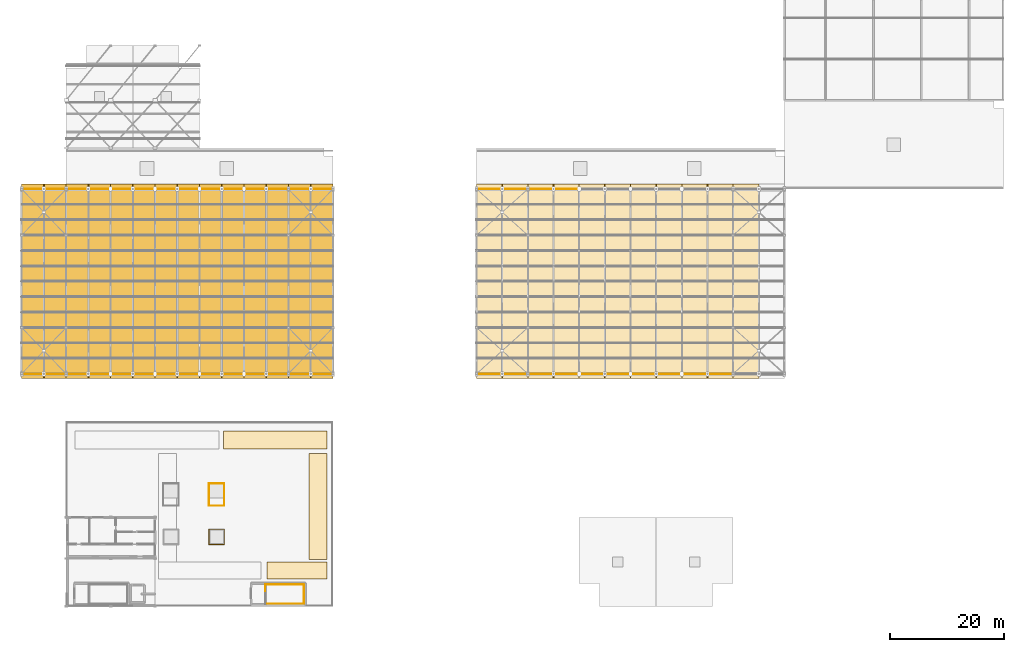
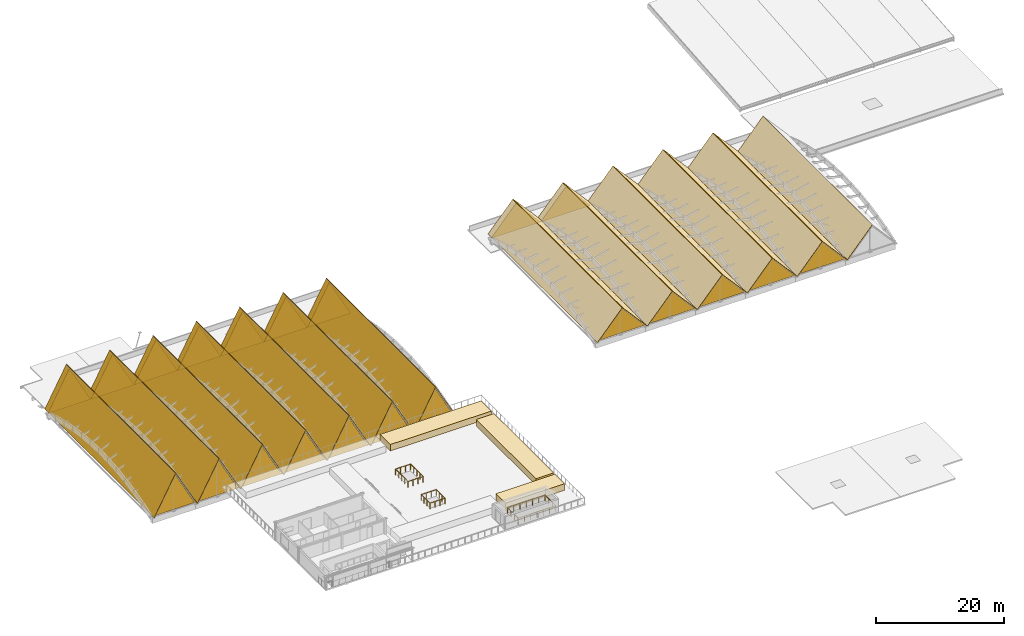
# One storey, part 38 of 39: 49 coverings, 3 railings.
"""IFC4 building model written with IfcOpenShell, lengths in metres."""

from ifc_helpers import new_model, si_unit, direction, frame, origin, origin_2d, place, context, subcontext, project, spatial, polyline, circle, outline, extrude, material, layer, layer_set, type_object, element, save


model = new_model("IFC4")

# Units and contexts
model_context = context("Model", 3, precision=1e-05, world=origin(), true_north=direction((0.0, 1.0)))
body_context = subcontext(model_context, "Body", "Model", "MODEL_VIEW")
ifc_project = project(units=[si_unit("LENGTHUNIT", "METRE"), si_unit("AREAUNIT", "SQUARE_METRE"), si_unit("VOLUMEUNIT", "CUBIC_METRE"), si_unit("PLANEANGLEUNIT", "RADIAN"), si_unit("MASSUNIT", "GRAM", prefix="KILO")], contexts=[model_context])

# Site, building, storey
site_placement = place(None, origin())
site = spatial("IfcSite", under=ifc_project, at=site_placement, CompositionType="ELEMENT")
building_placement = place(site_placement, origin())
building = spatial("IfcBuilding", under=site, at=building_placement, Name="Tizgana Railside Sports Hall", CompositionType="ELEMENT")
storey_placement = place(building_placement, frame((0.0, 0.0, 23.699951171875)))
storey = spatial("IfcBuildingStorey", under=building, at=storey_placement, Name="RF", CompositionType="ELEMENT", Elevation=23.699951171875)

# Coverings
ifc_material_1 = material(Name="Anodised perforated aluminium screen", Category="aluminium")
ifc_layer_1 = layer(ifc_material_1, 0.044921875, Name="Anodised perforated aluminium screen")
ifc_layer_set_1 = layer_set([ifc_layer_1], Name="Anodised perforated aluminium screen")
covering_type_1 = type_object("IfcCoveringType", Name="Perforated Aluminium Hall Screen 900", PredefinedType="CLADDING", material=ifc_layer_set_1)
for number, where, z_axis, x_axis, name in (
    (1, (7.75, 40.800048828125, -8.119873046875), (0.0, 0.0, 1.0), (-1.0, 0.0, 0.0), "RF Zigzag Gable Screen ZIG-0001"),
    (2, (0.050048828125, 73.199951171875, -8.119873046875), (0.0, 0.0, 1.0), (1.0, 0.0, 0.0), "RF Zigzag Gable Screen ZIG-0002"),
):
    element("IfcCovering", number, at=place(storey_placement, frame(where, z_axis=z_axis, x_axis=x_axis)), inside=storey, type_object=covering_type_1, Name=name, PredefinedType="CLADDING", context=body_context, shape_type="SweptSolid", body=[
        extrude(outline(polyline([(0.0, 0.0), (7.699951171875, 0.0), (7.699951171875, 0.02001953125), (3.85009765625, 7.219970703125), (0.0, 0.02001953125), (0.0, 0.0)])), frame((0.0, 0.044921875, 0.0), z_axis=(0.0, -1.0, 0.0), x_axis=(1.0, 0.0, 0.0)), (0.0, 0.0, 1.0), 0.090087890625),
    ])
covering_1_placement = place(storey_placement, frame((15.550048828125, 40.800048828125, -8.119873046875), z_axis=(0.0, 0.0, 1.0), x_axis=(-1.0, 0.0, 0.0)))
element("IfcCovering", 3, at=covering_1_placement, inside=storey, type_object=covering_type_1, Name="RF Zigzag Gable Screen ZIG-0003", PredefinedType="CLADDING", context=body_context, shape_type="SweptSolid", body=[
    extrude(outline(polyline([(0.0, 0.0), (7.795166015625, 0.0), (7.794921875, 0.02001953125), (3.85009765625, 7.219970703125), (0.0, 0.02001953125), (0.0, 0.0)])), frame((0.0, 0.044921875, 0.0), z_axis=(0.0, -1.0, 0.0), x_axis=(1.0, 0.0, 0.0)), (0.0, 0.0, 1.0), 0.090087890625),
])
covering_2_placement = place(storey_placement, frame((7.7548828125, 73.199951171875, -8.119873046875), z_axis=(0.0, 0.0, 1.0), x_axis=(1.0, 0.0, 0.0)))
element("IfcCovering", 4, at=covering_2_placement, inside=storey, type_object=covering_type_1, Name="RF Zigzag Gable Screen ZIG-0004", PredefinedType="CLADDING", context=body_context, shape_type="SweptSolid", body=[
    extrude(outline(polyline([(0.0, 0.0), (7.795166015625, 0.0), (7.794921875, 0.02001953125), (3.945068359375, 7.219970703125), (0.0, 0.02001953125), (0.0, 0.0)])), frame((0.0, 0.044921875, 0.0), z_axis=(0.0, -1.0, 0.0), x_axis=(1.0, 0.0, 0.0)), (0.0, 0.0, 1.0), 0.090087890625),
])
covering_3_placement = place(storey_placement, frame((23.35009765625, 40.800048828125, -8.119873046875), z_axis=(0.0, 0.0, 1.0), x_axis=(-1.0, 0.0, 0.0)))
element("IfcCovering", 5, at=covering_3_placement, inside=storey, type_object=covering_type_1, Name="RF Zigzag Gable Screen ZIG-0005", PredefinedType="CLADDING", context=body_context, shape_type="SweptSolid", body=[
    extrude(outline(polyline([(0.0, 0.0), (7.795166015625, 0.0), (7.794921875, 0.02001953125), (3.85009765625, 7.219970703125), (0.0, 0.02001953125), (0.0, 0.0)])), frame((0.0, 0.044921875, 0.0), z_axis=(0.0, -1.0, 0.0), x_axis=(1.0, 0.0, 0.0)), (0.0, 0.0, 1.0), 0.090087890625),
])
covering_4_placement = place(storey_placement, frame((15.554931640625, 73.199951171875, -8.119873046875), z_axis=(0.0, 0.0, 1.0), x_axis=(1.0, 0.0, 0.0)))
element("IfcCovering", 6, at=covering_4_placement, inside=storey, type_object=covering_type_1, Name="RF Zigzag Gable Screen ZIG-0006", PredefinedType="CLADDING", context=body_context, shape_type="SweptSolid", body=[
    extrude(outline(polyline([(0.0, 0.0), (7.795166015625, 0.0), (7.794921875, 0.02001953125), (3.945068359375, 7.219970703125), (0.0, 0.02001953125), (0.0, 0.0)])), frame((0.0, 0.044921875, 0.0), z_axis=(0.0, -1.0, 0.0), x_axis=(1.0, 0.0, 0.0)), (0.0, 0.0, 1.0), 0.090087890625),
])
covering_5_placement = place(storey_placement, frame((31.14990234375, 40.800048828125, -8.119873046875), z_axis=(0.0, 0.0, 1.0), x_axis=(-1.0, 0.0, 0.0)))
element("IfcCovering", 7, at=covering_5_placement, inside=storey, type_object=covering_type_1, Name="RF Zigzag Gable Screen ZIG-0007", PredefinedType="CLADDING", context=body_context, shape_type="SweptSolid", body=[
    extrude(outline(polyline([(0.0, 0.0), (7.794921875, 0.0), (7.794921875, 0.02001953125), (3.85009765625, 7.219970703125), (0.0, 0.02001953125), (0.0, 0.0)])), frame((0.0, 0.044921875, 0.0), z_axis=(0.0, -1.0, 0.0), x_axis=(1.0, 0.0, 0.0)), (0.0, 0.0, 1.0), 0.090087890625),
])
covering_6_placement = place(storey_placement, frame((23.35498046875, 73.199951171875, -8.119873046875), z_axis=(0.0, 0.0, 1.0), x_axis=(1.0, 0.0, 0.0)))
element("IfcCovering", 8, at=covering_6_placement, inside=storey, type_object=covering_type_1, Name="RF Zigzag Gable Screen ZIG-0008", PredefinedType="CLADDING", context=body_context, shape_type="SweptSolid", body=[
    extrude(outline(polyline([(0.0, 0.0), (7.794921875, 0.0), (7.794921875, 0.02001953125), (3.945068359375, 7.219970703125), (0.0, 0.02001953125), (0.0, 0.0)])), frame((0.0, 0.044921875, 0.0), z_axis=(0.0, -1.0, 0.0), x_axis=(1.0, 0.0, 0.0)), (0.0, 0.0, 1.0), 0.090087890625),
])
covering_7_placement = place(storey_placement, frame((38.949951171875, 40.800048828125, -8.119873046875), z_axis=(0.0, 0.0, 1.0), x_axis=(-1.0, 0.0, 0.0)))
element("IfcCovering", 9, at=covering_7_placement, inside=storey, type_object=covering_type_1, Name="RF Zigzag Gable Screen ZIG-0009", PredefinedType="CLADDING", context=body_context, shape_type="SweptSolid", body=[
    extrude(outline(polyline([(0.0, 0.0), (7.794921875, 0.0), (7.794921875, 0.02001953125), (3.85009765625, 7.219970703125), (0.0, 0.02001953125), (0.0, 0.0)])), frame((0.0, 0.044921875, 0.0), z_axis=(0.0, -1.0, 0.0), x_axis=(1.0, 0.0, 0.0)), (0.0, 0.0, 1.0), 0.090087890625),
])
covering_8_placement = place(storey_placement, frame((31.155029296875, 73.199951171875, -8.119873046875), z_axis=(0.0, 0.0, 1.0), x_axis=(1.0, 0.0, 0.0)))
element("IfcCovering", 10, at=covering_8_placement, inside=storey, type_object=covering_type_1, Name="RF Zigzag Gable Screen ZIG-0010", PredefinedType="CLADDING", context=body_context, shape_type="SweptSolid", body=[
    extrude(outline(polyline([(0.0, 0.0), (7.794921875, 0.0), (7.794921875, 0.02001953125), (3.945068359375, 7.219970703125), (0.0, 0.02001953125), (0.0, 0.0)])), frame((0.0, 0.044921875, 0.0), z_axis=(0.0, -1.0, 0.0), x_axis=(1.0, 0.0, 0.0)), (0.0, 0.0, 1.0), 0.090087890625),
])
covering_9_placement = place(storey_placement, frame((46.75, 40.800048828125, -8.119873046875), z_axis=(0.0, 0.0, 1.0), x_axis=(-1.0, 0.0, 0.0)))
element("IfcCovering", 11, at=covering_9_placement, inside=storey, type_object=covering_type_1, Name="RF Zigzag Gable Screen ZIG-0011", PredefinedType="CLADDING", context=body_context, shape_type="SweptSolid", body=[
    extrude(outline(polyline([(0.0, 0.0), (7.794921875, 0.0), (7.794921875, 0.02001953125), (3.85009765625, 7.219970703125), (0.0, 0.02001953125), (0.0, 0.0)])), frame((0.0, 0.044921875, 0.0), z_axis=(0.0, -1.0, 0.0), x_axis=(1.0, 0.0, 0.0)), (0.0, 0.0, 1.0), 0.090087890625),
])
covering_10_placement = place(storey_placement, frame((38.955078125, 73.199951171875, -8.119873046875), z_axis=(0.0, 0.0, 1.0), x_axis=(1.0, 0.0, 0.0)))
element("IfcCovering", 12, at=covering_10_placement, inside=storey, type_object=covering_type_1, Name="RF Zigzag Gable Screen ZIG-0012", PredefinedType="CLADDING", context=body_context, shape_type="SweptSolid", body=[
    extrude(outline(polyline([(0.0, 0.0), (7.794921875, 0.0), (7.794921875, 0.02001953125), (3.945068359375, 7.219970703125), (0.0, 0.02001953125), (0.0, 0.0)])), frame((0.0, 0.044921875, 0.0), z_axis=(0.0, -1.0, 0.0), x_axis=(1.0, 0.0, 0.0)), (0.0, 0.0, 1.0), 0.090087890625),
])
covering_11_placement = place(storey_placement, frame((54.550048828125, 40.800048828125, -8.119873046875), z_axis=(0.0, 0.0, 1.0), x_axis=(-1.0, 0.0, 0.0)))
element("IfcCovering", 13, at=covering_11_placement, inside=storey, type_object=covering_type_1, Name="RF Zigzag Gable Screen ZIG-0013", PredefinedType="CLADDING", context=body_context, shape_type="SweptSolid", body=[
    extrude(outline(polyline([(0.0, 0.0), (7.795166015625, 0.0), (7.794921875, 0.02001953125), (3.85009765625, 7.219970703125), (0.0, 0.02001953125), (0.0, 0.0)])), frame((0.0, 0.044921875, 0.0), z_axis=(0.0, -1.0, 0.0), x_axis=(1.0, 0.0, 0.0)), (0.0, 0.0, 1.0), 0.090087890625),
])
covering_12_placement = place(storey_placement, frame((46.7548828125, 73.199951171875, -8.119873046875), z_axis=(0.0, 0.0, 1.0), x_axis=(1.0, 0.0, 0.0)))
element("IfcCovering", 14, at=covering_12_placement, inside=storey, type_object=covering_type_1, Name="RF Zigzag Gable Screen ZIG-0014", PredefinedType="CLADDING", context=body_context, shape_type="SweptSolid", body=[
    extrude(outline(polyline([(0.0, 0.0), (7.795166015625, 0.0), (7.794921875, 0.02001953125), (3.945068359375, 7.219970703125), (0.0, 0.02001953125), (0.0, 0.0)])), frame((0.0, 0.044921875, 0.0), z_axis=(0.0, -1.0, 0.0), x_axis=(1.0, 0.0, 0.0)), (0.0, 0.0, 1.0), 0.090087890625),
])
for number, where, z_axis, x_axis, name in (
    (15, (88.75, 40.800048828125, -2.719970703125), (0.0, 0.0, 1.0), (-1.0, 0.0, 0.0), "RF Zigzag Gable Screen ZIG-0015"),
    (16, (79.85009765625, 73.199951171875, -2.719970703125), (0.0, 0.0, 1.0), (1.0, 0.0, 0.0), "RF Zigzag Gable Screen ZIG-0016"),
):
    element("IfcCovering", number, at=place(storey_placement, frame(where, z_axis=z_axis, x_axis=x_axis)), inside=storey, type_object=covering_type_1, Name=name, PredefinedType="CLADDING", context=body_context, shape_type="SweptSolid", body=[
        extrude(outline(polyline([(0.0, 0.0), (8.89990234375, 0.0), (8.89990234375, 0.02001953125), (4.449951171875, 5.1201171875), (0.0, 0.02001953125), (0.0, 0.0)])), frame((0.0, 0.044921875, 0.0), z_axis=(0.0, -1.0, 0.0), x_axis=(1.0, 0.0, 0.0)), (0.0, 0.0, 1.0), 0.090087890625),
    ])
covering_13_placement = place(storey_placement, frame((97.75, 40.800048828125, -2.719970703125), z_axis=(0.0, 0.0, 1.0), x_axis=(-1.0, 0.0, 0.0)))
element("IfcCovering", 17, at=covering_13_placement, inside=storey, type_object=covering_type_1, Name="RF Zigzag Gable Screen ZIG-0017", PredefinedType="CLADDING", context=body_context, shape_type="SweptSolid", body=[
    extrude(outline(polyline([(0.0, 0.0), (8.9951171875, 0.0), (8.9951171875, 0.02001953125), (4.449951171875, 5.1201171875), (0.0, 0.02001953125), (0.0, 0.0)])), frame((0.0, 0.044921875, 0.0), z_axis=(0.0, -1.0, 0.0), x_axis=(1.0, 0.0, 0.0)), (0.0, 0.0, 1.0), 0.090087890625),
])
covering_14_placement = place(storey_placement, frame((88.7548828125, 73.199951171875, -2.719970703125), z_axis=(0.0, 0.0, 1.0), x_axis=(1.0, 0.0, 0.0)))
element("IfcCovering", 18, at=covering_14_placement, inside=storey, type_object=covering_type_1, Name="RF Zigzag Gable Screen ZIG-0018", PredefinedType="CLADDING", context=body_context, shape_type="SweptSolid", body=[
    extrude(outline(polyline([(0.0, 0.0), (8.9951171875, 0.0), (8.9951171875, 0.02001953125), (4.544921875, 5.1201171875), (0.0, 0.02001953125), (0.0, 0.0)])), frame((0.0, 0.044921875, 0.0), z_axis=(0.0, -1.0, 0.0), x_axis=(1.0, 0.0, 0.0)), (0.0, 0.0, 1.0), 0.090087890625),
])
for number, where, z_axis, x_axis, name in (
    (19, (106.75, 40.800048828125, -2.719970703125), (0.0, 0.0, 1.0), (-1.0, 0.0, 0.0), "RF Zigzag Gable Screen ZIG-0019"),
    (20, (115.75, 40.800048828125, -2.719970703125), (0.0, 0.0, 1.0), (-1.0, 0.0, 0.0), "RF Zigzag Gable Screen ZIG-0021"),
    (21, (124.75, 40.800048828125, -2.719970703125), (0.0, 0.0, 1.0), (-1.0, 0.0, 0.0), "RF Zigzag Gable Screen ZIG-0023"),
):
    element("IfcCovering", number, at=place(storey_placement, frame(where, z_axis=z_axis, x_axis=x_axis)), inside=storey, type_object=covering_type_1, Name=name, PredefinedType="CLADDING", context=body_context, shape_type="SweptSolid", body=[
        extrude(outline(polyline([(0.0, 0.0), (8.9951171875, 0.0), (8.9951171875, 0.02001953125), (4.449951171875, 5.1201171875), (0.0, 0.02001953125), (0.0, 0.0)])), frame((0.0, 0.044921875, 0.0), z_axis=(0.0, -1.0, 0.0), x_axis=(1.0, 0.0, 0.0)), (0.0, 0.0, 1.0), 0.090087890625),
    ])

# Railing
ifc_material_2 = material(Name="Galvanised steel sheet", Category="steel")
railing_type_1 = type_object("IfcRailingType", Name="Safety Balustrade Guard 1100", PredefinedType="BALUSTRADE", material=ifc_material_2)
railing_1_placement = place(storey_placement, frame((42.75, 0.47998046875, 0.0)))
element("IfcRailing", 22, at=railing_1_placement, inside=storey, type_object=railing_type_1, Name="RF ST-02 Well Guard", PredefinedType="BALUSTRADE", context=body_context, shape_type="SweptSolid", body=[
    extrude(circle(Radius=0.02392578125, at=origin_2d()), frame((0.0, 0.0, 1.09619140625), z_axis=(1.0, 0.0, 0.0), x_axis=(0.0, 1.0, 0.0)), (0.0, 0.0, 1.0), 6.77001953125),
    extrude(circle(Radius=0.02392578125, at=origin_2d()), frame((6.77001953125, 0.0, 1.09619140625), z_axis=(0.0, 1.0, 0.0), x_axis=(-1.0, 0.0, 0.0)), (0.0, 0.0, 1.0), 3.340087890625),
    extrude(circle(Radius=0.02392578125, at=origin_2d()), frame((6.77001953125, 3.340087890625, 1.09619140625), z_axis=(-1.0, 0.0, 0.0), x_axis=(0.0, -1.0, 0.0)), (0.0, 0.0, 1.0), 6.77001953125),
    extrude(circle(Radius=0.02392578125, at=origin_2d()), frame((0.0, 3.340087890625, 1.09619140625), z_axis=(0.0, -1.0, 0.0), x_axis=(1.0, 0.0, 0.0)), (0.0, 0.0, 1.0), 3.280029296875),
    extrude(circle(Radius=0.02099609375, at=origin_2d()), origin(), (0.0, 0.0, 1.0), 1.072021484375),
    extrude(circle(Radius=0.02099609375, at=origin_2d()), frame((1.12841796875, 0.0, 0.0)), (0.0, 0.0, 1.0), 1.072021484375),
    extrude(circle(Radius=0.02099609375, at=origin_2d()), frame((2.256591796875, 0.0, 0.0)), (0.0, 0.0, 1.0), 1.072021484375),
    extrude(circle(Radius=0.02099609375, at=origin_2d()), frame((3.385009765625, 0.0, 0.0)), (0.0, 0.0, 1.0), 1.072021484375),
    extrude(circle(Radius=0.02099609375, at=origin_2d()), frame((4.513427734375, 0.0, 0.0)), (0.0, 0.0, 1.0), 1.072021484375),
    extrude(circle(Radius=0.02099609375, at=origin_2d()), frame((5.6416015625, 0.0, 0.0)), (0.0, 0.0, 1.0), 1.072021484375),
    extrude(circle(Radius=0.02099609375, at=origin_2d()), frame((6.77001953125, 0.0, 0.0)), (0.0, 0.0, 1.0), 1.072021484375),
    extrude(circle(Radius=0.02099609375, at=origin_2d()), frame((6.77001953125, 1.11328125, 0.0)), (0.0, 0.0, 1.0), 1.072021484375),
    extrude(circle(Radius=0.02099609375, at=origin_2d()), frame((6.77001953125, 2.226806640625, 0.0)), (0.0, 0.0, 1.0), 1.072021484375),
    extrude(circle(Radius=0.02099609375, at=origin_2d()), frame((6.77001953125, 3.340087890625, 0.0)), (0.0, 0.0, 1.0), 1.072021484375),
    extrude(circle(Radius=0.02099609375, at=origin_2d()), frame((5.6416015625, 3.340087890625, 0.0)), (0.0, 0.0, 1.0), 1.072021484375),
    extrude(circle(Radius=0.02099609375, at=origin_2d()), frame((4.513427734375, 3.340087890625, 0.0)), (0.0, 0.0, 1.0), 1.072021484375),
    extrude(circle(Radius=0.02099609375, at=origin_2d()), frame((3.385009765625, 3.340087890625, 0.0)), (0.0, 0.0, 1.0), 1.072021484375),
    extrude(circle(Radius=0.02099609375, at=origin_2d()), frame((2.256591796875, 3.340087890625, 0.0)), (0.0, 0.0, 1.0), 1.072021484375),
    extrude(circle(Radius=0.02099609375, at=origin_2d()), frame((1.12841796875, 3.340087890625, 0.0)), (0.0, 0.0, 1.0), 1.072021484375),
    extrude(circle(Radius=0.02099609375, at=origin_2d()), frame((0.0, 3.340087890625, 0.0)), (0.0, 0.0, 1.0), 1.072021484375),
    extrude(circle(Radius=0.02099609375, at=origin_2d()), frame((0.0, 2.246826171875, 0.0)), (0.0, 0.0, 1.0), 1.072021484375),
    extrude(circle(Radius=0.02099609375, at=origin_2d()), frame((0.0, 1.1533203125, 0.0)), (0.0, 0.0, 1.0), 1.072021484375),
    extrude(circle(Radius=0.02099609375, at=origin_2d()), frame((0.0, 0.06005859375, 0.0)), (0.0, 0.0, 1.0), 1.072021484375),
])

# Coverings
ifc_material_3 = material(Name="Anodised aluminium roofing", Category="aluminium")
ifc_layer_2 = layer(ifc_material_3, 0.080078125, Name="Anodised aluminium roofing")
ifc_layer_set_2 = layer_set([ifc_layer_2], Name="Anodised aluminium roofing")
covering_type_2 = type_object("IfcCoveringType", Name="Standing-Seam Insulated Vault Roofing", PredefinedType="ROOFING", material=ifc_layer_set_2)
covering_15_placement = place(storey_placement, frame((0.0, 39.949951171875, -7.794921875), z_axis=(-0.879295608432, 0.0, 0.47627642498), x_axis=(0.47627642498, 0.0, 0.879295608432)))
element("IfcCovering", 23, at=covering_15_placement, inside=storey, type_object=covering_type_2, Name="RF V1 Roofing 1W", PredefinedType="ROOFING", context=body_context, shape_type="SweptSolid", body=[
    extrude(outline(polyline([(0.0, 0.0), (8.188316992408815, 0.0), (8.188316992408815, 34.10009765625001), (0.0, 34.10009765625001), (0.0, 0.0)])), origin(), (0.0, 0.0, -1.0), 0.080078125),
])
covering_16_placement = place(storey_placement, frame((3.89990234375, 39.949951171875, -0.594970703125), z_axis=(0.879283121845, 0.0, 0.47629947684), x_axis=(0.47629947684, 0.0, -0.879283121845)))
element("IfcCovering", 24, at=covering_16_placement, inside=storey, type_object=covering_type_2, Name="RF V1 Roofing 1E", PredefinedType="ROOFING", context=body_context, shape_type="SweptSolid", body=[
    extrude(outline(polyline([(0.0, 0.0), (8.18843327364685, 0.0), (8.18843327364685, 34.10009765625), (0.0, 34.10009765625), (0.0, 0.0)])), origin(), (0.0, 0.0, -1.0), 0.080078125),
])
covering_17_placement = place(storey_placement, frame((7.800048828125, 39.949951171875, -7.794921875), z_axis=(-0.879295608432, 0.0, 0.47627642498), x_axis=(0.47627642498, 0.0, 0.879295608432)))
element("IfcCovering", 25, at=covering_17_placement, inside=storey, type_object=covering_type_2, Name="RF V1 Roofing 2W", PredefinedType="ROOFING", context=body_context, shape_type="SweptSolid", body=[
    extrude(outline(polyline([(0.0, 0.0), (8.188316992408815, 0.0), (8.188316992408815, 34.10009765625001), (0.0, 34.10009765625001), (0.0, 0.0)])), origin(), (0.0, 0.0, -1.0), 0.080078125),
])
covering_18_placement = place(storey_placement, frame((11.699951171875, 39.949951171875, -0.594970703125), z_axis=(0.879283121845, 0.0, 0.47629947684), x_axis=(0.47629947684, 0.0, -0.879283121845)))
element("IfcCovering", 26, at=covering_18_placement, inside=storey, type_object=covering_type_2, Name="RF V1 Roofing 2E", PredefinedType="ROOFING", context=body_context, shape_type="SweptSolid", body=[
    extrude(outline(polyline([(0.0, 0.0), (8.18843327364685, 0.0), (8.18843327364685, 34.10009765625), (0.0, 34.10009765625), (0.0, 0.0)])), origin(), (0.0, 0.0, -1.0), 0.080078125),
])
for number, where, z_axis, x_axis, name in (
    (27, (15.60009765625, 39.949951171875, -7.794921875), (-0.879295608432, 0.0, 0.47627642498), (0.47627642498, 0.0, 0.879295608432), "RF V1 Roofing 3W"),
    (28, (19.5, 39.949951171875, -0.594970703125), (0.879295608432, 0.0, 0.47627642498), (0.47627642498, 0.0, -0.879295608432), "RF V1 Roofing 3E"),
):
    element("IfcCovering", number, at=place(storey_placement, frame(where, z_axis=z_axis, x_axis=x_axis)), inside=storey, type_object=covering_type_2, Name=name, PredefinedType="ROOFING", context=body_context, shape_type="SweptSolid", body=[
        extrude(outline(polyline([(0.0, 0.0), (8.188316992408815, 0.0), (8.188316992408815, 34.10009765625001), (0.0, 34.10009765625001), (0.0, 0.0)])), origin(), (0.0, 0.0, -1.0), 0.080078125),
    ])
covering_19_placement = place(storey_placement, frame((23.39990234375, 39.949951171875, -7.794921875), z_axis=(-0.879283121845, 0.0, 0.47629947684), x_axis=(0.47629947684, 0.0, 0.879283121845)))
element("IfcCovering", 29, at=covering_19_placement, inside=storey, type_object=covering_type_2, Name="RF V1 Roofing 4W", PredefinedType="ROOFING", context=body_context, shape_type="SweptSolid", body=[
    extrude(outline(polyline([(0.0, 0.0), (8.18843327364685, 0.0), (8.18843327364685, 34.10009765625), (0.0, 34.10009765625), (0.0, 0.0)])), origin(), (0.0, 0.0, -1.0), 0.080078125),
])
covering_20_placement = place(storey_placement, frame((27.300048828125, 39.949951171875, -0.594970703125), z_axis=(0.879295608432, 0.0, 0.47627642498), x_axis=(0.47627642498, 0.0, -0.879295608432)))
element("IfcCovering", 30, at=covering_20_placement, inside=storey, type_object=covering_type_2, Name="RF V1 Roofing 4E", PredefinedType="ROOFING", context=body_context, shape_type="SweptSolid", body=[
    extrude(outline(polyline([(0.0, 0.0), (8.188316992408815, 0.0), (8.188316992408815, 34.10009765625001), (0.0, 34.10009765625001), (0.0, 0.0)])), origin(), (0.0, 0.0, -1.0), 0.080078125),
])
covering_21_placement = place(storey_placement, frame((31.199951171875, 39.949951171875, -7.794921875), z_axis=(-0.879283121845, 0.0, 0.47629947684), x_axis=(0.47629947684, 0.0, 0.879283121845)))
element("IfcCovering", 31, at=covering_21_placement, inside=storey, type_object=covering_type_2, Name="RF V1 Roofing 5W", PredefinedType="ROOFING", context=body_context, shape_type="SweptSolid", body=[
    extrude(outline(polyline([(0.0, 0.0), (8.18843327364685, 0.0), (8.18843327364685, 34.10009765625), (0.0, 34.10009765625), (0.0, 0.0)])), origin(), (0.0, 0.0, -1.0), 0.080078125),
])
for number, where, z_axis, x_axis, name in (
    (32, (35.10009765625, 39.949951171875, -0.594970703125), (0.879295608432, 0.0, 0.47627642498), (0.47627642498, 0.0, -0.879295608432), "RF V1 Roofing 5E"),
    (33, (39.0, 39.949951171875, -7.794921875), (-0.879295608432, 0.0, 0.47627642498), (0.47627642498, 0.0, 0.879295608432), "RF V1 Roofing 6W"),
):
    element("IfcCovering", number, at=place(storey_placement, frame(where, z_axis=z_axis, x_axis=x_axis)), inside=storey, type_object=covering_type_2, Name=name, PredefinedType="ROOFING", context=body_context, shape_type="SweptSolid", body=[
        extrude(outline(polyline([(0.0, 0.0), (8.188316992408815, 0.0), (8.188316992408815, 34.10009765625001), (0.0, 34.10009765625001), (0.0, 0.0)])), origin(), (0.0, 0.0, -1.0), 0.080078125),
    ])
covering_22_placement = place(storey_placement, frame((42.89990234375, 39.949951171875, -0.594970703125), z_axis=(0.879283121845, 0.0, 0.47629947684), x_axis=(0.47629947684, 0.0, -0.879283121845)))
element("IfcCovering", 34, at=covering_22_placement, inside=storey, type_object=covering_type_2, Name="RF V1 Roofing 6E", PredefinedType="ROOFING", context=body_context, shape_type="SweptSolid", body=[
    extrude(outline(polyline([(0.0, 0.0), (8.18843327364685, 0.0), (8.18843327364685, 34.10009765625), (0.0, 34.10009765625), (0.0, 0.0)])), origin(), (0.0, 0.0, -1.0), 0.080078125),
])
covering_23_placement = place(storey_placement, frame((46.800048828125, 39.949951171875, -7.794921875), z_axis=(-0.879295608432, 0.0, 0.47627642498), x_axis=(0.47627642498, 0.0, 0.879295608432)))
element("IfcCovering", 35, at=covering_23_placement, inside=storey, type_object=covering_type_2, Name="RF V1 Roofing 7W", PredefinedType="ROOFING", context=body_context, shape_type="SweptSolid", body=[
    extrude(outline(polyline([(0.0, 0.0), (8.188316992408815, 0.0), (8.188316992408815, 34.10009765625001), (0.0, 34.10009765625001), (0.0, 0.0)])), origin(), (0.0, 0.0, -1.0), 0.080078125),
])
covering_24_placement = place(storey_placement, frame((50.699951171875, 39.949951171875, -0.594970703125), z_axis=(0.879283121845, 0.0, 0.47629947684), x_axis=(0.47629947684, 0.0, -0.879283121845)))
element("IfcCovering", 36, at=covering_24_placement, inside=storey, type_object=covering_type_2, Name="RF V1 Roofing 7E", PredefinedType="ROOFING", context=body_context, shape_type="SweptSolid", body=[
    extrude(outline(polyline([(0.0, 0.0), (8.18843327364685, 0.0), (8.18843327364685, 34.10009765625), (0.0, 34.10009765625), (0.0, 0.0)])), origin(), (0.0, 0.0, -1.0), 0.080078125),
])
for number, where, z_axis, x_axis, name in (
    (37, (79.800048828125, 39.949951171875, -2.39501953125), (-0.749844140428, 0.0, 0.661614513948), (0.661614513948, 0.0, 0.749844140428), "RF V2 Roofing 1W"),
    (38, (84.300048828125, 39.949951171875, 2.705078125), (0.749844140428, 0.0, 0.661614513948), (0.661614513948, 0.0, -0.749844140428), "RF V2 Roofing 1E"),
    (39, (88.800048828125, 39.949951171875, -2.39501953125), (-0.749844140428, 0.0, 0.661614513948), (0.661614513948, 0.0, 0.749844140428), "RF V2 Roofing 2W"),
    (40, (93.300048828125, 39.949951171875, 2.705078125), (0.749844140428, 0.0, 0.661614513948), (0.661614513948, 0.0, -0.749844140428), "RF V2 Roofing 2E"),
    (41, (97.800048828125, 39.949951171875, -2.39501953125), (-0.749844140428, 0.0, 0.661614513948), (0.661614513948, 0.0, 0.749844140428), "RF V2 Roofing 3W"),
    (42, (102.300048828125, 39.949951171875, 2.705078125), (0.749844140428, 0.0, 0.661614513948), (0.661614513948, 0.0, -0.749844140428), "RF V2 Roofing 3E"),
    (43, (106.800048828125, 39.949951171875, -2.39501953125), (-0.749844140428, 0.0, 0.661614513948), (0.661614513948, 0.0, 0.749844140428), "RF V2 Roofing 4W"),
    (44, (111.300048828125, 39.949951171875, 2.705078125), (0.749844140428, 0.0, 0.661614513948), (0.661614513948, 0.0, -0.749844140428), "RF V2 Roofing 4E"),
    (45, (115.800048828125, 39.949951171875, -2.39501953125), (-0.749844140428, 0.0, 0.661614513948), (0.661614513948, 0.0, 0.749844140428), "RF V2 Roofing 5W"),
    (46, (120.300048828125, 39.949951171875, 2.705078125), (0.749844140428, 0.0, 0.661614513948), (0.661614513948, 0.0, -0.749844140428), "RF V2 Roofing 5E"),
    (47, (124.800048828125, 39.949951171875, -2.39501953125), (-0.749844140428, 0.0, 0.661614513948), (0.661614513948, 0.0, 0.749844140428), "RF V2 Roofing 6W"),
):
    element("IfcCovering", number, at=place(storey_placement, frame(where, z_axis=z_axis, x_axis=x_axis)), inside=storey, type_object=covering_type_2, Name=name, PredefinedType="ROOFING", context=body_context, shape_type="SweptSolid", body=[
        extrude(outline(polyline([(0.0, 0.0), (6.801543655912733, 0.0), (6.801543655912733, 34.10009765625), (0.0, 34.10009765625), (0.0, 0.0)])), origin(), (0.0, 0.0, -1.0), 0.080078125),
    ])

# Railings
ifc_material_4 = material(Name="Anodised aluminium", Category="aluminium")
railing_type_2 = type_object("IfcRailingType", Name="Terrace & Track Guard 1150", PredefinedType="BALUSTRADE", material=ifc_material_4)
railing_2_placement = place(storey_placement, frame((32.85009765625, 10.85009765625, 0.0)))
element("IfcRailing", 48, at=railing_2_placement, inside=storey, type_object=railing_type_2, Name="RF Safety Guard GRD-0018", PredefinedType="BALUSTRADE", context=body_context, shape_type="SweptSolid", body=[
    extrude(circle(Radius=0.02392578125, at=origin_2d()), frame((0.0, 0.0, 1.1259765625), z_axis=(1.0, 0.0, 0.0), x_axis=(0.0, 1.0, 0.0)), (0.0, 0.0, 1.0), 2.699951171875),
    extrude(circle(Radius=0.02392578125, at=origin_2d()), frame((2.699951171875, 0.0, 1.1259765625), z_axis=(0.0, 1.0, 0.0), x_axis=(-1.0, 0.0, 0.0)), (0.0, 0.0, 1.0), 2.699951171875),
    extrude(circle(Radius=0.02392578125, at=origin_2d()), frame((2.699951171875, 2.699951171875, 1.1259765625), z_axis=(-1.0, 0.0, 0.0), x_axis=(0.0, -1.0, 0.0)), (0.0, 0.0, 1.0), 2.699951171875),
    extrude(circle(Radius=0.02392578125, at=origin_2d()), frame((0.0, 2.699951171875, 1.1259765625), z_axis=(0.0, -1.0, 0.0), x_axis=(1.0, 0.0, 0.0)), (0.0, 0.0, 1.0), 2.6201171875),
    extrude(circle(Radius=0.02099609375, at=origin_2d()), origin(), (0.0, 0.0, 1.0), 1.101806640625),
    extrude(circle(Radius=0.02099609375, at=origin_2d()), frame((0.89990234375, 0.0, 0.0)), (0.0, 0.0, 1.0), 1.101806640625),
    extrude(circle(Radius=0.02099609375, at=origin_2d()), frame((1.800048828125, 0.0, 0.0)), (0.0, 0.0, 1.0), 1.101806640625),
    extrude(circle(Radius=0.02099609375, at=origin_2d()), frame((2.699951171875, 0.0, 0.0)), (0.0, 0.0, 1.0), 1.101806640625),
    extrude(circle(Radius=0.02099609375, at=origin_2d()), frame((2.699951171875, 0.89990234375, 0.0)), (0.0, 0.0, 1.0), 1.101806640625),
    extrude(circle(Radius=0.02099609375, at=origin_2d()), frame((2.699951171875, 1.800048828125, 0.0)), (0.0, 0.0, 1.0), 1.101806640625),
    extrude(circle(Radius=0.02099609375, at=origin_2d()), frame((2.699951171875, 2.699951171875, 0.0)), (0.0, 0.0, 1.0), 1.101806640625),
    extrude(circle(Radius=0.02099609375, at=origin_2d()), frame((1.800048828125, 2.699951171875, 0.0)), (0.0, 0.0, 1.0), 1.101806640625),
    extrude(circle(Radius=0.02099609375, at=origin_2d()), frame((0.89990234375, 2.699951171875, 0.0)), (0.0, 0.0, 1.0), 1.101806640625),
    extrude(circle(Radius=0.02099609375, at=origin_2d()), frame((0.0, 2.699951171875, 0.0)), (0.0, 0.0, 1.0), 1.101806640625),
    extrude(circle(Radius=0.02099609375, at=origin_2d()), frame((0.0, 1.82666015625, 0.0)), (0.0, 0.0, 1.0), 1.101806640625),
    extrude(circle(Radius=0.02099609375, at=origin_2d()), frame((0.0, 0.953125, 0.0)), (0.0, 0.0, 1.0), 1.101806640625),
    extrude(circle(Radius=0.02099609375, at=origin_2d()), frame((0.0, 0.079833984375, 0.0)), (0.0, 0.0, 1.0), 1.101806640625),
])
railing_3_placement = place(storey_placement, frame((32.85009765625, 17.64990234375, 0.0)))
element("IfcRailing", 49, at=railing_3_placement, inside=storey, type_object=railing_type_2, Name="RF Safety Guard GRD-0020", PredefinedType="BALUSTRADE", context=body_context, shape_type="SweptSolid", body=[
    extrude(circle(Radius=0.02392578125, at=origin_2d()), frame((0.0, 0.0, 1.1259765625), z_axis=(1.0, 0.0, 0.0), x_axis=(0.0, 1.0, 0.0)), (0.0, 0.0, 1.0), 2.699951171875),
    extrude(circle(Radius=0.02392578125, at=origin_2d()), frame((2.699951171875, 0.0, 1.1259765625), z_axis=(0.0, 1.0, 0.0), x_axis=(-1.0, 0.0, 0.0)), (0.0, 0.0, 1.0), 3.900146484375),
    extrude(circle(Radius=0.02392578125, at=origin_2d()), frame((2.699951171875, 3.900146484375, 1.1259765625), z_axis=(-1.0, 0.0, 0.0), x_axis=(0.0, -1.0, 0.0)), (0.0, 0.0, 1.0), 2.699951171875),
    extrude(circle(Radius=0.02392578125, at=origin_2d()), frame((0.0, 3.900146484375, 1.1259765625), z_axis=(0.0, -1.0, 0.0), x_axis=(1.0, 0.0, 0.0)), (0.0, 0.0, 1.0), 3.820068359375),
    extrude(circle(Radius=0.02099609375, at=origin_2d()), origin(), (0.0, 0.0, 1.0), 1.101806640625),
    extrude(circle(Radius=0.02099609375, at=origin_2d()), frame((0.89990234375, 0.0, 0.0)), (0.0, 0.0, 1.0), 1.101806640625),
    extrude(circle(Radius=0.02099609375, at=origin_2d()), frame((1.800048828125, 0.0, 0.0)), (0.0, 0.0, 1.0), 1.101806640625),
    extrude(circle(Radius=0.02099609375, at=origin_2d()), frame((2.699951171875, 0.0, 0.0)), (0.0, 0.0, 1.0), 1.101806640625),
    extrude(circle(Radius=0.02099609375, at=origin_2d()), frame((2.699951171875, 0.97509765625, 0.0)), (0.0, 0.0, 1.0), 1.101806640625),
    extrude(circle(Radius=0.02099609375, at=origin_2d()), frame((2.699951171875, 1.9501953125, 0.0)), (0.0, 0.0, 1.0), 1.101806640625),
    extrude(circle(Radius=0.02099609375, at=origin_2d()), frame((2.699951171875, 2.925048828125, 0.0)), (0.0, 0.0, 1.0), 1.101806640625),
    extrude(circle(Radius=0.02099609375, at=origin_2d()), frame((2.699951171875, 3.900146484375, 0.0)), (0.0, 0.0, 1.0), 1.101806640625),
    extrude(circle(Radius=0.02099609375, at=origin_2d()), frame((1.800048828125, 3.900146484375, 0.0)), (0.0, 0.0, 1.0), 1.101806640625),
    extrude(circle(Radius=0.02099609375, at=origin_2d()), frame((0.89990234375, 3.900146484375, 0.0)), (0.0, 0.0, 1.0), 1.101806640625),
    extrude(circle(Radius=0.02099609375, at=origin_2d()), frame((0.0, 3.900146484375, 0.0)), (0.0, 0.0, 1.0), 1.101806640625),
    extrude(circle(Radius=0.02099609375, at=origin_2d()), frame((0.0, 2.945068359375, 0.0)), (0.0, 0.0, 1.0), 1.101806640625),
    extrude(circle(Radius=0.02099609375, at=origin_2d()), frame((0.0, 1.990234375, 0.0)), (0.0, 0.0, 1.0), 1.101806640625),
    extrude(circle(Radius=0.02099609375, at=origin_2d()), frame((0.0, 1.03515625, 0.0)), (0.0, 0.0, 1.0), 1.101806640625),
    extrude(circle(Radius=0.02099609375, at=origin_2d()), frame((0.0, 0.080078125, 0.0)), (0.0, 0.0, 1.0), 1.101806640625),
])

# Coverings
ifc_material_5 = material(Name="Vulcanized elastomeric track")
ifc_layer_3 = layer(ifc_material_5, 0.034912109375, Name="Vulcanized elastomeric track")
ifc_layer_set_3 = layer_set([ifc_layer_3], Name="Vulcanized elastomeric track")
covering_type_3 = type_object("IfcCoveringType", Name="Vulcanized Elastomeric Running Track Surface", PredefinedType="FLOORING", material=ifc_layer_set_3)
covering_25_placement = place(storey_placement, origin())
element("IfcCovering", 50, at=covering_25_placement, inside=storey, type_object=covering_type_3, Name="L02 Elastomeric Track TRK-0002", PredefinedType="FLOORING", context=body_context, shape_type="SweptSolid", body=[
    extrude(outline(polyline([(43.0, 4.800048828125), (53.60009765625, 4.800048828125), (53.60009765625, 7.800048828125), (43.0, 7.800048828125), (43.0, 4.800048828125)])), origin(), (0.0, 0.0, 1.0), 1.235107421875),
])
covering_26_placement = place(storey_placement, origin())
element("IfcCovering", 51, at=covering_26_placement, inside=storey, type_object=covering_type_3, Name="L02 Elastomeric Track TRK-0003", PredefinedType="FLOORING", context=body_context, shape_type="SweptSolid", body=[
    extrude(outline(polyline([(50.39990234375, 8.199951171875), (53.60009765625, 8.199951171875), (53.60009765625, 26.800048828125), (50.39990234375, 26.800048828125), (50.39990234375, 8.199951171875)])), origin(), (0.0, 0.0, 1.0), 1.235107421875),
])
covering_27_placement = place(storey_placement, origin())
element("IfcCovering", 52, at=covering_27_placement, inside=storey, type_object=covering_type_3, Name="L02 Elastomeric Track TRK-0004", PredefinedType="FLOORING", context=body_context, shape_type="SweptSolid", body=[
    extrude(outline(polyline([(35.39990234375, 27.60009765625), (53.60009765625, 27.60009765625), (53.60009765625, 30.800048828125), (35.39990234375, 30.800048828125), (35.39990234375, 27.60009765625)])), origin(), (0.0, 0.0, 1.0), 1.235107421875),
])

save(model, "model.ifc")
